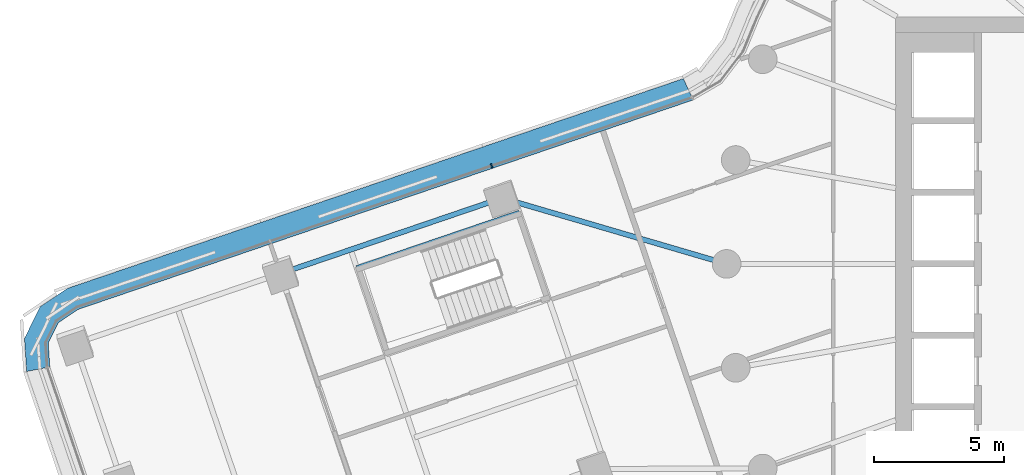
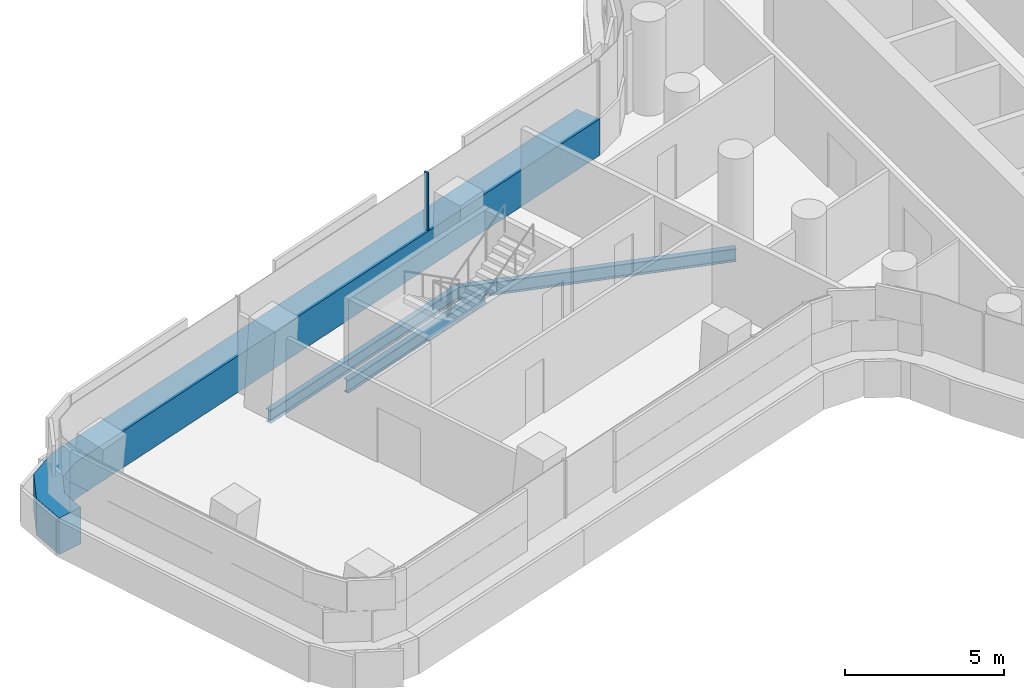
# One storey, part 6 of 29: 3 beams, 2 members, 1 element without a shape of its own.
"""IFC4 building model written with IfcOpenShell, lengths in metres."""

from ifc_helpers import new_model, si_unit, direction, frame, origin, origin_2d, place, context, subcontext, project, spatial, polyline, rectangle, i_section, outline, extrude, material, layer, layer_set, material_profile, profile_set, type_object, element, aggregate, save


model = new_model("IFC4")

# Units and contexts
model_context = context("Model", 3, precision=1e-05, world=origin(), true_north=direction((0.0, 1.0)))
body_context = subcontext(model_context, "Body", "Model", "MODEL_VIEW")
ifc_project = project(units=[si_unit("LENGTHUNIT", "METRE"), si_unit("AREAUNIT", "SQUARE_METRE"), si_unit("VOLUMEUNIT", "CUBIC_METRE"), si_unit("PLANEANGLEUNIT", "RADIAN"), si_unit("MASSUNIT", "GRAM", prefix="KILO")], contexts=[model_context])

# Site, building, storey
site_placement = place(None, origin())
site = spatial("IfcSite", under=ifc_project, at=site_placement, CompositionType="ELEMENT")
building_placement = place(site_placement, origin())
building = spatial("IfcBuilding", under=site, at=building_placement, Name="Tamarind Cross Interchange Tower", CompositionType="ELEMENT")
storey_placement = place(building_placement, frame((0.0, 0.0, 102.25)))
storey = spatial("IfcBuildingStorey", under=building, at=storey_placement, Name="L24", CompositionType="ELEMENT", Elevation=102.25)

# Beams
ifc_material_1 = material(Name="Steel Q355B", Category="steel")
ifc_material_profile_1 = material_profile(ifc_material_1, i_section(OverallWidth=0.198974609375, OverallDepth=0.49609375, WebThickness=0.009033203125, FlangeThickness=0.013916015625, FilletRadius=0.012939453125, at=origin_2d()), Name="HN 496x199x9x14")
ifc_profile_set_1 = profile_set([ifc_material_profile_1], Name="Steel Q355B")
beam_type = type_object("IfcBeamType", Name="Composite beam HN 496x199x9x14 Q355B", PredefinedType="BEAM", material=ifc_profile_set_1)
beam_1_placement = place(storey_placement, frame((-40.1494140625, -0.37060546875, -0.387939453125), z_axis=(0.946612571629, 0.322373446849, 0.0), x_axis=(-0.322373446849, 0.946612571629, 0.0)))
element("IfcBeam", 1, at=beam_1_placement, inside=storey, type_object=beam_type, Name="Beam W-edgeem6", PredefinedType="BEAM", context=body_context, shape_type="SweptSolid", body=[
    extrude(i_section(OverallWidth=0.198974609375, OverallDepth=0.49609375, WebThickness=0.009033203125, FlangeThickness=0.013916015625, FilletRadius=0.012939453125, at=origin_2d()), origin(), (0.0, 0.0, 1.0), 9.0),
])
beam_2_placement = place(storey_placement, frame((-31.6298828125, 2.53076171875, -0.387939453125), z_axis=(0.959589118303, -0.281404911178, 0.0), x_axis=(0.281404911178, 0.959589118303, 0.0)))
element("IfcBeam", 2, at=beam_2_placement, inside=storey, type_object=beam_type, Name="Beam W-linkem", PredefinedType="BEAM", context=body_context, shape_type="SweptSolid", body=[
    extrude(i_section(OverallWidth=0.198974609375, OverallDepth=0.49609375, WebThickness=0.009033203125, FlangeThickness=0.013916015625, FilletRadius=0.012939453125, at=origin_2d()), origin(), (0.0, 0.0, 1.0), 8.993408203125),
])
beam_3_placement = place(storey_placement, frame((-30.962158203125, 1.9658203125, -0.387939453125), z_axis=(-0.946610281318, -0.322380172008, 0.0), x_axis=(0.322380172008, -0.946610281318, 0.0)))
element("IfcBeam", 3, at=beam_3_placement, inside=storey, type_object=beam_type, Name="Beam W-tr0", PredefinedType="BEAM", context=body_context, shape_type="SweptSolid", body=[
    extrude(i_section(OverallWidth=0.198974609375, OverallDepth=0.49609375, WebThickness=0.009033203125, FlangeThickness=0.013916015625, FilletRadius=0.012939453125, at=origin_2d()), origin(), (0.0, 0.0, 1.0), 6.599853515625),
])

# Curtain wall, members
ifc_material_2 = material(Name="Aluminium 6063-T6", Category="aluminium")
ifc_layer = layer(ifc_material_2, 0.159912109375)
ifc_layer_set = layer_set([ifc_layer], Name="Aluminium 6063-T6")
curtain_wall_type = type_object("IfcCurtainWallType", Name="Office curtain wall, 9.0 m bays", PredefinedType="NOTDEFINED", material=ifc_layer_set)
curtain_wall_placement = place(storey_placement, origin())
curtain_wall = element("IfcCurtainWall", 4, at=curtain_wall_placement, inside=storey, type_object=curtain_wall_type, Name="CWS-L24-15", PredefinedType="NOTDEFINED")
ifc_material_3 = material(Name="Aluminium and insulated spandrel panel", Category="aluminium")
member_type_1 = type_object("IfcMemberType", Name="Floor-edge blade transom", PredefinedType="USERDEFINED", material=ifc_material_3)
member_1_placement = place(storey_placement, origin())
member_1 = element("IfcMember", 5, at=member_1_placement, type_object=member_type_1, Name="CWT-L24-15", ObjectType="TRANSOM", PredefinedType="USERDEFINED", context=body_context, shape_type="SweptSolid", body=[
    extrude(outline(polyline([(-24.28466796875, 6.2998046875), (-47.927490234375, -1.751708984375), (-48.68798828125, -2.26123046875), (-49.07421875, -3.0458984375), (-49.013427734375, -3.959228515625), (-49.903564453125, -4.13720703125), (-49.988037109375, -2.864990234375), (-49.38916015625, -1.6474609375), (-48.329833984375, -0.93798828125), (-24.659423828125, 7.123046875), (-24.28466796875, 6.2998046875)])), origin(), (0.0, 0.0, 1.0), 1.39990234375),
])
ifc_material_profile_2 = material_profile(ifc_material_2, rectangle(XDim=0.06005859375, YDim=0.159912109375, at=origin_2d()), Name="Mullion CW1")
ifc_profile_set_2 = profile_set([ifc_material_profile_2], Name="Aluminium 6063-T6")
member_type_2 = type_object("IfcMemberType", Name="Mullion CW1", PredefinedType="MULLION", material=ifc_profile_set_2)
member_2_placement = place(storey_placement, frame((-32.0283203125, 3.768310546875, 1.39990234375), z_axis=(0.0, 0.0, 1.0), x_axis=(-0.946613256786, -0.322371434957, 0.0)))
member_2 = element("IfcMember", 6, at=member_2_placement, type_object=member_type_2, Name="CWM-L24-15-01", PredefinedType="MULLION", context=body_context, shape_type="SweptSolid", body=[
    extrude(rectangle(XDim=0.06005859375, YDim=0.159912109375, at=origin_2d()), origin(), (0.0, 0.0, 1.0), 2.210205078125),
])
aggregate(curtain_wall, [member_2, member_1])

save(model, "model.ifc")
